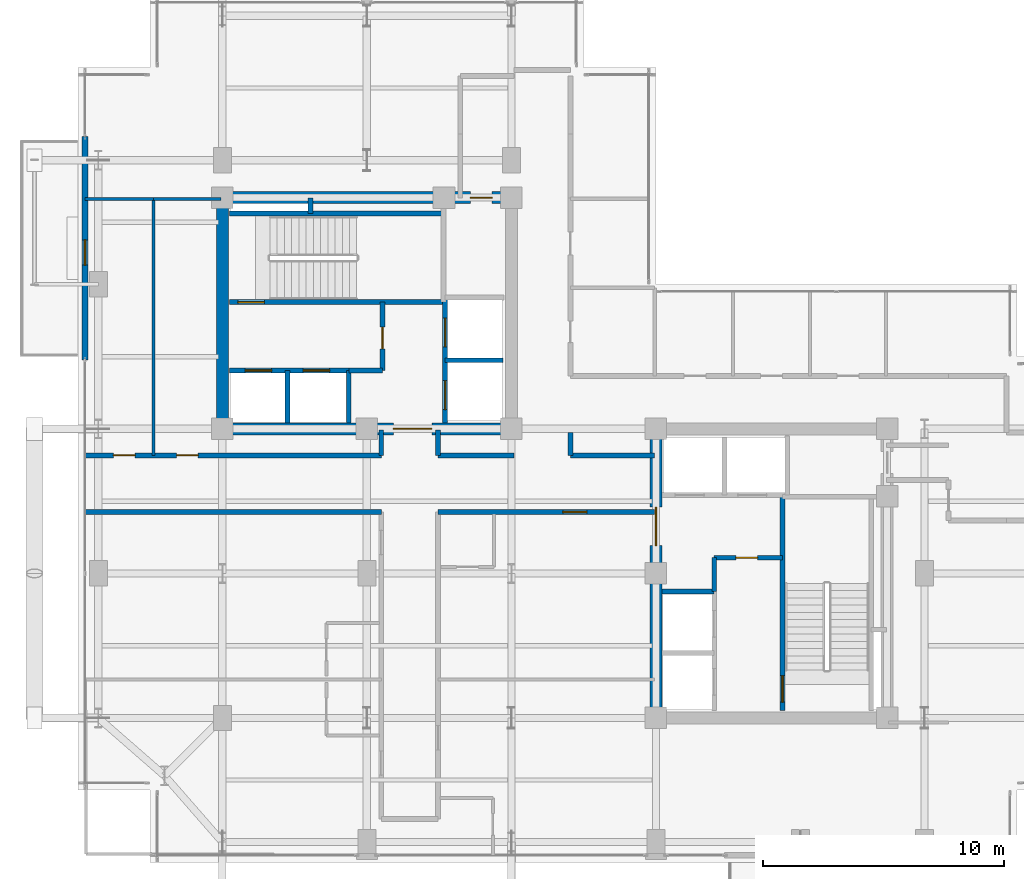
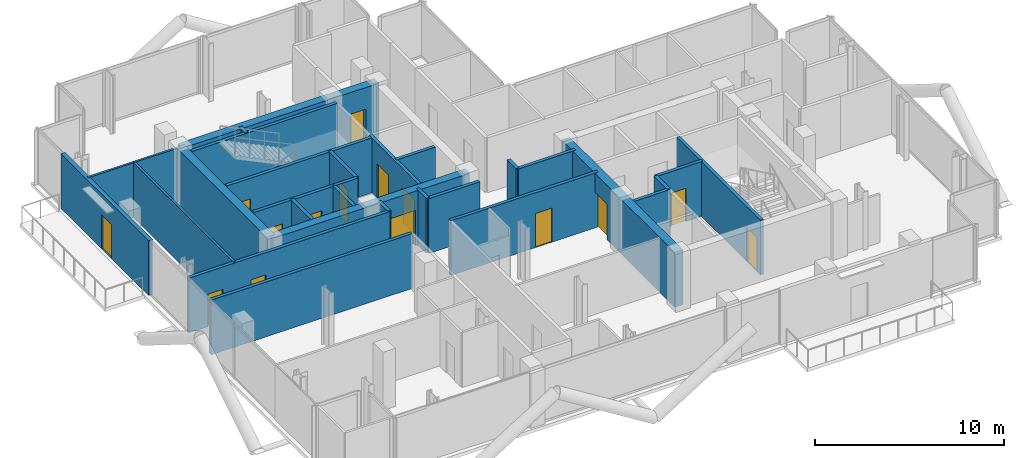
# One storey, part 20 of 25: 30 walls, 15 doors, 15 openings.
"""IFC4 building model written with IfcOpenShell, lengths in metres."""

from ifc_helpers import new_model, si_unit, direction, frame, frame_2d, origin, place, context, subcontext, project, spatial, rectangle, extrude, material, layer, layer_set, type_object, element, fill, save


model = new_model("IFC4")

# Units and contexts
model_context = context("Model", 3, precision=1e-05, world=origin(), true_north=direction((0.0, 1.0)))
body_context = subcontext(model_context, "Body", "Model", "MODEL_VIEW")
ifc_project = project(units=[si_unit("LENGTHUNIT", "METRE"), si_unit("AREAUNIT", "SQUARE_METRE"), si_unit("VOLUMEUNIT", "CUBIC_METRE"), si_unit("PLANEANGLEUNIT", "RADIAN"), si_unit("MASSUNIT", "GRAM", prefix="KILO"), si_unit("THERMODYNAMICTEMPERATUREUNIT", "KELVIN"), si_unit("POWERUNIT", "WATT")], contexts=[model_context])

# Site, building, storey
site_placement = place(None, origin())
site = spatial("IfcSite", under=ifc_project, at=site_placement, CompositionType="ELEMENT")
building_placement = place(site_placement, origin())
building = spatial("IfcBuilding", under=site, at=building_placement, Name="Svarakhadi Broadcast Tower", CompositionType="ELEMENT")
storey_placement = place(building_placement, frame((0.0, 0.0, 212.39990234375)))
storey = spatial("IfcBuildingStorey", under=building, at=storey_placement, Name="L52", CompositionType="ELEMENT", Elevation=212.39990234375)

# Wall
ifc_material_1 = material(Name="Double-Stud Acoustic Studio Partition STC-62", Category="gypsum")
ifc_layer_1 = layer(ifc_material_1, 0.199951171875)
ifc_layer_set_1 = layer_set([ifc_layer_1], Name="Double-Stud Acoustic Studio Partition STC-62")
wall_type_1 = type_object("IfcWallType", Name="Wall_Acoust_200", PredefinedType="PARTITIONING", material=ifc_layer_set_1)
wall_1_placement = place(storey_placement, frame((12.60009765625, 14.550048828125, 0.0), z_axis=(0.0, 0.0, 1.0), x_axis=(-1.0, 0.0, 0.0)))
element("IfcWall", 1, at=wall_1_placement, inside=storey, type_object=wall_type_1, Name="L52 Upper Tower Concourse Wall", PredefinedType="PARTITIONING", context=body_context, shape_type="SweptSolid", body=[
    extrude(rectangle(XDim=12.300048828125, YDim=0.199951171875, at=frame_2d((6.14990234375, 0.0))), origin(), (0.0, 0.0, 1.0), 3.5400390625),
])

# Wall, openings, doors
wall_2_placement = place(storey_placement, frame((0.300048828125, 16.89990234375, 0.0), z_axis=(0.0, 0.0, 1.0), x_axis=(1.0, 0.0, 0.0)))
wall_2 = element("IfcWall", 2, at=wall_2_placement, inside=storey, type_object=wall_type_1, Name="L52 Upper Tower Concourse Wall", PredefinedType="PARTITIONING", context=body_context, shape_type="SweptSolid", body=[
    extrude(rectangle(XDim=12.300048828125, YDim=0.199951171875, at=frame_2d((6.14990234375, 0.0))), origin(), (0.0, 0.0, 1.0), 3.5400390625),
])
opening_1_placement = place(wall_2_placement, frame((1.179931640625, 0.0, 0.0)))
opening_1 = element("IfcOpeningElement", 3, at=opening_1_placement, cuts=wall_2, Name="Opening D-15", PredefinedType="OPENING", context=body_context, shape_type="SweptSolid", body=[
    extrude(rectangle(XDim=0.89990234375, YDim=2.10009765625, at=frame_2d((0.449951171875, 1.050048828125))), frame((0.0, 0.10986328125, 0.0), z_axis=(0.0, -1.0, 0.0), x_axis=(1.0, 0.0, 0.0)), (0.0, 0.0, 1.0), 0.219970703125),
])
opening_2_placement = place(wall_2_placement, frame((3.800048828125, 0.0, 0.0)))
opening_2 = element("IfcOpeningElement", 4, at=opening_2_placement, cuts=wall_2, Name="Opening D-14", PredefinedType="OPENING", context=body_context, shape_type="SweptSolid", body=[
    extrude(rectangle(XDim=0.89990234375, YDim=2.10009765625, at=frame_2d((0.449951171875, 1.050048828125))), frame((0.0, 0.10986328125, 0.0), z_axis=(0.0, -1.0, 0.0), x_axis=(1.0, 0.0, 0.0)), (0.0, 0.0, 1.0), 0.219970703125),
])
ifc_material_2 = material(Name="Solid-Core Teak Veneer Acoustic Timber Leaf", Category="wood")
door_type_1 = type_object("IfcDoorType", Name="Door_Int_D14", OperationType="SINGLE_SWING_LEFT", PredefinedType="DOOR", material=ifc_material_2)
door_1_placement = place(opening_2_placement, origin())
door_1 = element("IfcDoor", 5, at=door_1_placement, inside=storey, type_object=door_type_1, Name="L52 Private Study and Library Office Door", OperationType="SINGLE_SWING_LEFT", OverallHeight=2.10009765625, OverallWidth=0.89990234375, PredefinedType="DOOR", context=body_context, shape_type="SweptSolid", body=[
    extrude(rectangle(XDim=0.89990234375, YDim=2.10009765625, at=frame_2d((0.449951171875, 1.050048828125))), frame((0.0, 0.02490234375, 0.0), z_axis=(0.0, -1.0, 0.0), x_axis=(1.0, 0.0, 0.0)), (0.0, 0.0, 1.0), 0.050048828125),
])
fill(opening_2, door_1)
door_type_2 = type_object("IfcDoorType", Name="Door_Int_D15", OperationType="SINGLE_SWING_RIGHT", PredefinedType="DOOR", material=ifc_material_2)
door_2_placement = place(opening_1_placement, origin())
door_2 = element("IfcDoor", 6, at=door_2_placement, inside=storey, type_object=door_type_2, Name="L52 Arabian Sea Panorama Salon Door", OperationType="SINGLE_SWING_RIGHT", OverallHeight=2.10009765625, OverallWidth=0.89990234375, PredefinedType="DOOR", context=body_context, shape_type="SweptSolid", body=[
    extrude(rectangle(XDim=0.89990234375, YDim=2.10009765625, at=frame_2d((0.449951171875, 1.050048828125))), frame((0.0, 0.02490234375, 0.0), z_axis=(0.0, -1.0, 0.0), x_axis=(1.0, 0.0, 0.0)), (0.0, 0.0, 1.0), 0.050048828125),
])
fill(opening_1, door_2)

# Walls
for number, where, z_axis, x_axis, name in (
    (7, (12.60009765625, 16.89990234375, 0.0), (0.0, 0.0, 1.0), (0.0, 1.0, 0.0), "L52 Upper Tower Concourse Wall"),
    (8, (14.949951171875, 17.949951171875, 0.0), (0.0, 0.0, 1.0), (0.0, -1.0, 0.0), "L52 Upper Tower Concourse Wall"),
):
    element("IfcWall", number, at=place(storey_placement, frame(where, z_axis=z_axis, x_axis=x_axis)), inside=storey, type_object=wall_type_1, Name=name, PredefinedType="PARTITIONING", context=body_context, shape_type="SweptSolid", body=[
        extrude(rectangle(XDim=1.050048828125, YDim=0.199951171875, at=frame_2d((0.52490234375, 0.0))), origin(), (0.0, 0.0, 1.0), 3.5400390625),
    ])
wall_3_placement = place(storey_placement, frame((14.949951171875, 16.89990234375, 0.0), z_axis=(0.0, 0.0, 1.0), x_axis=(1.0, 0.0, 0.0)))
element("IfcWall", 9, at=wall_3_placement, inside=storey, type_object=wall_type_1, Name="L52 Upper Tower Concourse Wall", PredefinedType="PARTITIONING", context=body_context, shape_type="SweptSolid", body=[
    extrude(rectangle(XDim=3.150146484375, YDim=0.199951171875, at=frame_2d((1.5751953125, 0.0))), origin(), (0.0, 0.0, 1.0), 3.5400390625),
])
wall_4_placement = place(storey_placement, frame((20.449951171875, 17.85009765625, 0.0), z_axis=(0.0, 0.0, 1.0), x_axis=(0.0, -1.0, 0.0)))
element("IfcWall", 10, at=wall_4_placement, inside=storey, type_object=wall_type_1, Name="L52 Upper Tower Concourse Wall", PredefinedType="PARTITIONING", context=body_context, shape_type="SweptSolid", body=[
    extrude(rectangle(XDim=0.9501953125, YDim=0.199951171875, at=frame_2d((0.47509765625, 0.0))), origin(), (0.0, 0.0, 1.0), 3.5400390625),
])
wall_5_placement = place(storey_placement, frame((20.449951171875, 16.89990234375, 0.0), z_axis=(0.0, 0.0, 1.0), x_axis=(1.0, 0.0, 0.0)))
element("IfcWall", 11, at=wall_5_placement, inside=storey, type_object=wall_type_1, Name="L52 Upper Tower Concourse Wall", PredefinedType="PARTITIONING", context=body_context, shape_type="SweptSolid", body=[
    extrude(rectangle(XDim=3.5, YDim=0.199951171875, at=frame_2d((1.75, 0.0))), origin(), (0.0, 0.0, 1.0), 3.5400390625),
])

# Wall, opening, door
wall_6_placement = place(storey_placement, frame((23.949951171875, 14.550048828125, 0.0), z_axis=(0.0, 0.0, 1.0), x_axis=(-1.0, 0.0, 0.0)))
wall_6 = element("IfcWall", 12, at=wall_6_placement, inside=storey, type_object=wall_type_1, Name="L52 Upper Tower Concourse Wall", PredefinedType="PARTITIONING", context=body_context, shape_type="SweptSolid", body=[
    extrude(rectangle(XDim=9.0, YDim=0.199951171875, at=frame_2d((4.5, 0.0))), origin(), (0.0, 0.0, 1.0), 3.5400390625),
])
opening_3_placement = place(wall_6_placement, frame((2.81494140625, 0.0, 0.0)))
opening_3 = element("IfcOpeningElement", 13, at=opening_3_placement, cuts=wall_6, Name="Opening D-08", PredefinedType="OPENING", context=body_context, shape_type="SweptSolid", body=[
    extrude(rectangle(XDim=1.0, YDim=2.199951171875, at=frame_2d((0.5, 1.10009765625))), frame((0.0, 0.10986328125, 0.0), z_axis=(0.0, -1.0, 0.0), x_axis=(1.0, 0.0, 0.0)), (0.0, 0.0, 1.0), 0.219970703125),
])
door_type_3 = type_object("IfcDoorType", Name="Door_Suite_D08", OperationType="SINGLE_SWING_LEFT", PredefinedType="DOOR", material=ifc_material_2)
door_3_placement = place(opening_3_placement, origin())
door_3 = element("IfcDoor", 14, at=door_3_placement, inside=storey, type_object=door_type_3, Name="L52 Deluxe Harbour Guest Room Entrance Door", OperationType="SINGLE_SWING_LEFT", OverallHeight=2.199951171875, OverallWidth=1.0, PredefinedType="DOOR", context=body_context, shape_type="SweptSolid", body=[
    extrude(rectangle(XDim=1.0, YDim=2.199951171875, at=frame_2d((0.5, 1.10009765625))), frame((0.0, 0.02490234375, 0.0), z_axis=(0.0, -1.0, 0.0), x_axis=(1.0, 0.0, 0.0)), (0.0, 0.0, 1.0), 0.050048828125),
])
fill(opening_3, door_3)

ifc_material_3 = material(Name="Concrete C40/50 (IS 456 M50)", Category="concrete")
ifc_layer_2 = layer(ifc_material_3, 0.239990234375)
ifc_layer_set_2 = layer_set([ifc_layer_2], Name="Concrete C40/50 (IS 456 M50)")
wall_type_2 = type_object("IfcWallType", Name="Wall_Ext_240", PredefinedType="SOLIDWALL", material=ifc_layer_set_2)
wall_7_placement = place(storey_placement, frame((0.300048828125, 20.85498046875, 0.0), z_axis=(0.0, 0.0, 1.0), x_axis=(0.0, 1.0, 0.0)))
wall_7 = element("IfcWall", 15, at=wall_7_placement, inside=storey, type_object=wall_type_2, Name="L52 West Tree Balcony Spandrel Wall", PredefinedType="SOLIDWALL", context=body_context, shape_type="SweptSolid", body=[
    extrude(rectangle(XDim=9.2900390625, YDim=0.239990234375, at=frame_2d((4.64501953125, 0.0))), origin(), (0.0, 0.0, 1.0), 3.5400390625),
])
opening_4_placement = place(wall_7_placement, frame((3.945068359375, 0.0, 0.0)))
opening_4 = element("IfcOpeningElement", 16, at=opening_4_placement, cuts=wall_7, Name="Opening ED-05", PredefinedType="OPENING", context=body_context, shape_type="SweptSolid", body=[
    extrude(rectangle(XDim=1.050048828125, YDim=2.199951171875, at=frame_2d((0.52490234375, 1.10009765625))), frame((0.0, 0.1298828125, 0.0), z_axis=(0.0, -1.0, 0.0), x_axis=(1.0, 0.0, 0.0)), (0.0, 0.0, 1.0), 0.260009765625),
])
ifc_material_4 = material(Name="Anodised Bronze Aluminium AA 6063-T6", Category="aluminium")
door_type_4 = type_object("IfcDoorType", Name="Door_Ext_ED05", OperationType="SINGLE_SWING_LEFT", PredefinedType="DOOR", material=ifc_material_4)
door_4_placement = place(opening_4_placement, origin())
door_4 = element("IfcDoor", 17, at=door_4_placement, inside=storey, type_object=door_type_4, Name="L52 West Tree Balcony Door", OperationType="SINGLE_SWING_LEFT", OverallHeight=2.199951171875, OverallWidth=1.050048828125, PredefinedType="DOOR", context=body_context, shape_type="SweptSolid", body=[
    extrude(rectangle(XDim=1.050048828125, YDim=2.199951171875, at=frame_2d((0.52490234375, 1.10009765625))), frame((0.0, 0.02490234375, 0.0), z_axis=(0.0, -1.0, 0.0), x_axis=(1.0, 0.0, 0.0)), (0.0, 0.0, 1.0), 0.050048828125),
])
fill(opening_4, door_4)

# Walls
ifc_layer_3 = layer(ifc_material_3, 0.199951171875)
ifc_layer_set_3 = layer_set([ifc_layer_3], Name="Concrete C40/50 (IS 456 M50)")
wall_type_3 = type_object("IfcWallType", Name="Wall_Fire_200", PredefinedType="SOLIDWALL", material=ifc_layer_set_3)
wall_8_placement = place(storey_placement, frame((9.659912109375, 26.93994140625, 0.0), z_axis=(0.0, 0.0, 1.0), x_axis=(0.0, 1.0, 0.0)))
element("IfcWall", 18, at=wall_8_placement, inside=storey, type_object=wall_type_3, Name="L52 Wet Riser Shaft East Wall", PredefinedType="SOLIDWALL", context=body_context, shape_type="SweptSolid", body=[
    extrude(rectangle(XDim=0.64013671875, YDim=0.199951171875, at=frame_2d((0.320068359375, 0.0))), origin(), (0.0, 0.0, 1.0), 3.5400390625),
])
ifc_material_5 = material(Name="Fire-Rated Moisture-Resistant Gypsum Board Partition", Category="gypsum")
ifc_layer_4 = layer(ifc_material_5, 0.125)
ifc_layer_set_4 = layer_set([ifc_layer_4], Name="Fire-Rated Moisture-Resistant Gypsum Board Partition")
wall_type_4 = type_object("IfcWallType", Name="Wall_Part_125", PredefinedType="PARTITIONING", material=ifc_layer_set_4)
wall_9_placement = place(storey_placement, frame((0.300048828125, 27.550048828125, 0.0), z_axis=(0.0, 0.0, 1.0), x_axis=(1.0, 0.0, 0.0)))
element("IfcWall", 19, at=wall_9_placement, inside=storey, type_object=wall_type_4, Name="L52 Arabian Sea Panorama Salon Wall", PredefinedType="PARTITIONING", context=body_context, shape_type="SweptSolid", body=[
    extrude(rectangle(XDim=2.849853515625, YDim=0.125, at=frame_2d((1.4248046875, 0.0))), origin(), (0.0, 0.0, 1.0), 3.5400390625),
])
wall_10_placement = place(storey_placement, frame((3.14990234375, 16.89990234375, 0.0), z_axis=(0.0, 0.0, 1.0), x_axis=(0.0, 1.0, 0.0)))
element("IfcWall", 20, at=wall_10_placement, inside=storey, type_object=wall_type_4, Name="L52 Arabian Sea Panorama Salon Wall", PredefinedType="PARTITIONING", context=body_context, shape_type="SweptSolid", body=[
    extrude(rectangle(XDim=10.650146484375, YDim=0.125, at=frame_2d((5.3251953125, 0.0))), origin(), (0.0, 0.0, 1.0), 3.5400390625),
])
wall_11_placement = place(storey_placement, frame((3.14990234375, 27.550048828125, 0.0), z_axis=(0.0, 0.0, 1.0), x_axis=(1.0, 0.0, 0.0)))
element("IfcWall", 21, at=wall_11_placement, inside=storey, type_object=wall_type_4, Name="L52 Private Study and Library Office Wall", PredefinedType="PARTITIONING", context=body_context, shape_type="SweptSolid", body=[
    extrude(rectangle(XDim=2.800048828125, YDim=0.125, at=frame_2d((1.39990234375, 0.0))), origin(), (0.0, 0.0, 1.0), 3.5400390625),
])

# Wall, opening, door
ifc_material_6 = material(Name="Concrete C50/60 (IS 456 M60)", Category="concrete")
ifc_layer_5 = layer(ifc_material_6, 0.199951171875)
ifc_layer_set_5 = layer_set([ifc_layer_5], Name="Concrete C50/60 (IS 456 M60)")
wall_type_5 = type_object("IfcWallType", Name="Wall_Shear_200", PredefinedType="SHEAR", material=ifc_layer_set_5)
wall_12_placement = place(storey_placement, frame((6.300048828125, 23.260009765625, 0.0), z_axis=(0.0, 0.0, 1.0), x_axis=(1.0, 0.0, 0.0)))
wall_12 = element("IfcWall", 22, at=wall_12_placement, inside=storey, type_object=wall_type_5, Name="L52 Stair ST-01 South RC Shaft Wall", PredefinedType="SHEAR", context=body_context, shape_type="SweptSolid", body=[
    extrude(rectangle(XDim=8.8798828125, YDim=0.199951171875, at=frame_2d((4.43994140625, 0.0))), origin(), (0.0, 0.0, 1.0), 3.5400390625),
])
opening_5_placement = place(wall_12_placement, frame((0.35009765625, 0.0, 0.0)))
opening_5 = element("IfcOpeningElement", 23, at=opening_5_placement, cuts=wall_12, Name="Opening D-01", PredefinedType="OPENING", context=body_context, shape_type="SweptSolid", body=[
    extrude(rectangle(XDim=1.10009765625, YDim=2.199951171875, at=frame_2d((0.550048828125, 1.10009765625))), frame((0.0, 0.10986328125, 0.0), z_axis=(0.0, -1.0, 0.0), x_axis=(1.0, 0.0, 0.0)), (0.0, 0.0, 1.0), 0.219970703125),
])
ifc_material_7 = material(Name="Galvanised Powder-Coated Fire-Rated Steel Leaf", Category="steel")
door_type_5 = type_object("IfcDoorType", Name="Door_Stair_D01", OperationType="SINGLE_SWING_LEFT", PredefinedType="DOOR", material=ifc_material_7)
door_5_placement = place(opening_5_placement, origin())
door_5 = element("IfcDoor", 24, at=door_5_placement, inside=storey, type_object=door_type_5, Name="L52 Protected Exit Stair ST-01 Fire Door", OperationType="SINGLE_SWING_LEFT", OverallHeight=2.199951171875, OverallWidth=1.10009765625, PredefinedType="DOOR", context=body_context, shape_type="SweptSolid", body=[
    extrude(rectangle(XDim=1.10009765625, YDim=2.199951171875, at=frame_2d((0.550048828125, 1.10009765625))), frame((0.0, 0.02490234375, 0.0), z_axis=(0.0, -1.0, 0.0), x_axis=(1.0, 0.0, 0.0)), (0.0, 0.0, 1.0), 0.050048828125),
])
fill(opening_5, door_5)

# Wall
wall_13_placement = place(storey_placement, frame((6.300048828125, 26.93994140625, 0.0), z_axis=(0.0, 0.0, 1.0), x_axis=(1.0, 0.0, 0.0)))
element("IfcWall", 25, at=wall_13_placement, inside=storey, type_object=wall_type_5, Name="L52 Stair ST-01 North RC Shaft Wall", PredefinedType="SHEAR", context=body_context, shape_type="SweptSolid", body=[
    extrude(rectangle(XDim=8.8798828125, YDim=0.199951171875, at=frame_2d((4.43994140625, 0.0))), origin(), (0.0, 0.0, 1.0), 3.5400390625),
])

# Wall, opening, door
wall_14_placement = place(storey_placement, frame((29.260009765625, 6.300048828125, 0.0), z_axis=(0.0, 0.0, 1.0), x_axis=(0.0, 1.0, 0.0)))
wall_14 = element("IfcWall", 26, at=wall_14_placement, inside=storey, type_object=wall_type_5, Name="L52 Stair ST-02 West RC Shaft Wall", PredefinedType="SHEAR", context=body_context, shape_type="SweptSolid", body=[
    extrude(rectangle(XDim=8.8798828125, YDim=0.199951171875, at=frame_2d((4.43994140625, 0.0))), origin(), (0.0, 0.0, 1.0), 3.5400390625),
])
opening_6_placement = place(wall_14_placement, frame((0.35009765625, 0.0, 0.0)))
opening_6 = element("IfcOpeningElement", 27, at=opening_6_placement, cuts=wall_14, Name="Opening D-02", PredefinedType="OPENING", context=body_context, shape_type="SweptSolid", body=[
    extrude(rectangle(XDim=1.10009765625, YDim=2.199951171875, at=frame_2d((0.550048828125, 1.10009765625))), frame((0.0, 0.10986328125, 0.0), z_axis=(0.0, -1.0, 0.0), x_axis=(1.0, 0.0, 0.0)), (0.0, 0.0, 1.0), 0.219970703125),
])
door_type_6 = type_object("IfcDoorType", Name="Door_Stair_D02", OperationType="SINGLE_SWING_RIGHT", PredefinedType="DOOR", material=ifc_material_7)
door_6_placement = place(opening_6_placement, origin())
door_6 = element("IfcDoor", 28, at=door_6_placement, inside=storey, type_object=door_type_6, Name="L52 Protected Exit Stair ST-02 Fire Door", OperationType="SINGLE_SWING_RIGHT", OverallHeight=2.199951171875, OverallWidth=1.10009765625, PredefinedType="DOOR", context=body_context, shape_type="SweptSolid", body=[
    extrude(rectangle(XDim=1.10009765625, YDim=2.199951171875, at=frame_2d((0.550048828125, 1.10009765625))), frame((0.0, 0.02490234375, 0.0), z_axis=(0.0, -1.0, 0.0), x_axis=(1.0, 0.0, 0.0)), (0.0, 0.0, 1.0), 0.050048828125),
])
fill(opening_6, door_6)

# Wall, openings, doors
wall_15_placement = place(storey_placement, frame((6.300048828125, 20.419921875, 0.0), z_axis=(0.0, 0.0, 1.0), x_axis=(1.0, 0.0, 0.0)))
wall_15 = element("IfcWall", 29, at=wall_15_placement, inside=storey, type_object=wall_type_5, Name="L52 Firefighting Lift LF-01/02 Shaft Wall", PredefinedType="SHEAR", context=body_context, shape_type="SweptSolid", body=[
    extrude(rectangle(XDim=4.949951171875, YDim=0.199951171875, at=frame_2d((2.47509765625, 0.0))), origin(), (0.0, 0.0, 1.0), 3.5400390625),
])
opening_7_placement = place(wall_15_placement, frame((0.64990234375, 0.0, 0.0)))
opening_7 = element("IfcOpeningElement", 30, at=opening_7_placement, cuts=wall_15, Name="Opening LD-01", PredefinedType="OPENING", context=body_context, shape_type="SweptSolid", body=[
    extrude(rectangle(XDim=1.10009765625, YDim=2.199951171875, at=frame_2d((0.550048828125, 1.10009765625))), frame((0.0, 0.10986328125, 0.0), z_axis=(0.0, -1.0, 0.0), x_axis=(1.0, 0.0, 0.0)), (0.0, 0.0, 1.0), 0.219970703125),
])
opening_8_placement = place(wall_15_placement, frame((3.050048828125, 0.0, 0.0)))
opening_8 = element("IfcOpeningElement", 31, at=opening_8_placement, cuts=wall_15, Name="Opening LD-01", PredefinedType="OPENING", context=body_context, shape_type="SweptSolid", body=[
    extrude(rectangle(XDim=1.10009765625, YDim=2.199951171875, at=frame_2d((0.550048828125, 1.10009765625))), frame((0.0, 0.10986328125, 0.0), z_axis=(0.0, -1.0, 0.0), x_axis=(1.0, 0.0, 0.0)), (0.0, 0.0, 1.0), 0.219970703125),
])
door_type_7 = type_object("IfcDoorType", Name="Door_Lift_LD01", OperationType="SLIDING_TO_LEFT", PredefinedType="DOOR", material=ifc_material_7)
door_7_placement = place(opening_7_placement, origin())
door_7 = element("IfcDoor", 32, at=door_7_placement, inside=storey, type_object=door_type_7, Name="L52 Firefighting Lift LF-01 Landing Door", OperationType="SLIDING_TO_LEFT", OverallHeight=2.199951171875, OverallWidth=1.10009765625, PredefinedType="DOOR", context=body_context, shape_type="SweptSolid", body=[
    extrude(rectangle(XDim=1.10009765625, YDim=2.199951171875, at=frame_2d((0.550048828125, 1.10009765625))), frame((0.0, 0.02490234375, 0.0), z_axis=(0.0, -1.0, 0.0), x_axis=(1.0, 0.0, 0.0)), (0.0, 0.0, 1.0), 0.050048828125),
])
fill(opening_7, door_7)
door_8_placement = place(opening_8_placement, origin())
door_8 = element("IfcDoor", 33, at=door_8_placement, inside=storey, type_object=door_type_7, Name="L52 Firefighting Lift LF-02 Landing Door", OperationType="SLIDING_TO_LEFT", OverallHeight=2.199951171875, OverallWidth=1.10009765625, PredefinedType="DOOR", context=body_context, shape_type="SweptSolid", body=[
    extrude(rectangle(XDim=1.10009765625, YDim=2.199951171875, at=frame_2d((0.550048828125, 1.10009765625))), frame((0.0, 0.02490234375, 0.0), z_axis=(0.0, -1.0, 0.0), x_axis=(1.0, 0.0, 0.0)), (0.0, 0.0, 1.0), 0.050048828125),
])
fill(opening_8, door_8)

# Walls
for number, where, z_axis, x_axis, name in (
    (34, (8.699951171875, 18.25, 0.0), (0.0, 0.0, 1.0), (0.0, 1.0, 0.0), "L52 Firefighting Lift LF-01/02 Divider Wall"),
    (35, (11.25, 18.25, 0.0), (0.0, 0.0, 1.0), (0.0, 1.0, 0.0), "L52 Firefighting Lift LF-02 East Wall"),
):
    element("IfcWall", number, at=place(storey_placement, frame(where, z_axis=z_axis, x_axis=x_axis)), inside=storey, type_object=wall_type_5, Name=name, PredefinedType="SHEAR", context=body_context, shape_type="SweptSolid", body=[
        extrude(rectangle(XDim=2.169921875, YDim=0.199951171875, at=frame_2d((1.0849609375, 0.0))), origin(), (0.0, 0.0, 1.0), 3.5400390625),
    ])
wall_16_placement = place(storey_placement, frame((11.25, 20.419921875, 0.0), z_axis=(0.0, 0.0, 1.0), x_axis=(1.0, 0.0, 0.0)))
element("IfcWall", 36, at=wall_16_placement, inside=storey, type_object=wall_type_5, Name="L52 West Firefighting Lobby South Wall", PredefinedType="SHEAR", context=body_context, shape_type="SweptSolid", body=[
    extrude(rectangle(XDim=1.39990234375, YDim=0.199951171875, at=frame_2d((0.699951171875, 0.0))), origin(), (0.0, 0.0, 1.0), 3.5400390625),
])

# Wall, opening, door
wall_17_placement = place(storey_placement, frame((12.64990234375, 20.419921875, 0.0), z_axis=(0.0, 0.0, 1.0), x_axis=(0.0, 1.0, 0.0)))
wall_17 = element("IfcWall", 37, at=wall_17_placement, inside=storey, type_object=wall_type_5, Name="L52 West Firefighting Lobby East Wall", PredefinedType="SHEAR", context=body_context, shape_type="SweptSolid", body=[
    extrude(rectangle(XDim=2.840087890625, YDim=0.199951171875, at=frame_2d((1.419921875, 0.0))), origin(), (0.0, 0.0, 1.0), 3.5400390625),
])
opening_9_placement = place(wall_17_placement, frame((0.89990234375, 0.0, 0.0)))
opening_9 = element("IfcOpeningElement", 38, at=opening_9_placement, cuts=wall_17, Name="Opening D-03", PredefinedType="OPENING", context=body_context, shape_type="SweptSolid", body=[
    extrude(rectangle(XDim=0.89990234375, YDim=2.14990234375, at=frame_2d((0.449951171875, 1.074951171875))), frame((0.0, 0.10986328125, 0.0), z_axis=(0.0, -1.0, 0.0), x_axis=(1.0, 0.0, 0.0)), (0.0, 0.0, 1.0), 0.219970703125),
])
door_type_8 = type_object("IfcDoorType", Name="Door_Fire_D03", OperationType="SINGLE_SWING_LEFT", PredefinedType="DOOR", material=ifc_material_7)
door_9_placement = place(opening_9_placement, origin())
door_9 = element("IfcDoor", 39, at=door_9_placement, inside=storey, type_object=door_type_8, Name="L52 West Firefighting Lobby Fire Door", OperationType="SINGLE_SWING_LEFT", OverallHeight=2.14990234375, OverallWidth=0.89990234375, PredefinedType="DOOR", context=body_context, shape_type="SweptSolid", body=[
    extrude(rectangle(XDim=0.89990234375, YDim=2.14990234375, at=frame_2d((0.449951171875, 1.074951171875))), frame((0.0, 0.02490234375, 0.0), z_axis=(0.0, -1.0, 0.0), x_axis=(1.0, 0.0, 0.0)), (0.0, 0.0, 1.0), 0.050048828125),
])
fill(opening_9, door_9)

# Walls
wall_18_placement = place(storey_placement, frame((24.25, 11.25, 0.0), z_axis=(0.0, 0.0, 1.0), x_axis=(1.0, 0.0, 0.0)))
element("IfcWall", 40, at=wall_18_placement, inside=storey, type_object=wall_type_5, Name="L52 Firefighting Lift LF-04 North Wall", PredefinedType="SHEAR", context=body_context, shape_type="SweptSolid", body=[
    extrude(rectangle(XDim=2.169921875, YDim=0.199951171875, at=frame_2d((1.0849609375, 0.0))), origin(), (0.0, 0.0, 1.0), 3.5400390625),
])
wall_19_placement = place(storey_placement, frame((26.419921875, 11.25, 0.0), z_axis=(0.0, 0.0, 1.0), x_axis=(0.0, 1.0, 0.0)))
element("IfcWall", 41, at=wall_19_placement, inside=storey, type_object=wall_type_5, Name="L52 East Firefighting Lobby West Wall", PredefinedType="SHEAR", context=body_context, shape_type="SweptSolid", body=[
    extrude(rectangle(XDim=1.39990234375, YDim=0.199951171875, at=frame_2d((0.699951171875, 0.0))), origin(), (0.0, 0.0, 1.0), 3.5400390625),
])

# Wall, opening, door
wall_20_placement = place(storey_placement, frame((26.419921875, 12.64990234375, 0.0), z_axis=(0.0, 0.0, 1.0), x_axis=(1.0, 0.0, 0.0)))
wall_20 = element("IfcWall", 42, at=wall_20_placement, inside=storey, type_object=wall_type_5, Name="L52 East Firefighting Lobby North Wall", PredefinedType="SHEAR", context=body_context, shape_type="SweptSolid", body=[
    extrude(rectangle(XDim=2.840087890625, YDim=0.199951171875, at=frame_2d((1.419921875, 0.0))), origin(), (0.0, 0.0, 1.0), 3.5400390625),
])
opening_10_placement = place(wall_20_placement, frame((0.89990234375, 0.0, 0.0)))
opening_10 = element("IfcOpeningElement", 43, at=opening_10_placement, cuts=wall_20, Name="Opening D-04", PredefinedType="OPENING", context=body_context, shape_type="SweptSolid", body=[
    extrude(rectangle(XDim=0.89990234375, YDim=2.14990234375, at=frame_2d((0.449951171875, 1.074951171875))), frame((0.0, 0.10986328125, 0.0), z_axis=(0.0, -1.0, 0.0), x_axis=(1.0, 0.0, 0.0)), (0.0, 0.0, 1.0), 0.219970703125),
])
door_type_9 = type_object("IfcDoorType", Name="Door_Fire_D04", OperationType="SINGLE_SWING_RIGHT", PredefinedType="DOOR", material=ifc_material_7)
door_10_placement = place(opening_10_placement, origin())
door_10 = element("IfcDoor", 44, at=door_10_placement, inside=storey, type_object=door_type_9, Name="L52 East Firefighting Lobby Fire Door", OperationType="SINGLE_SWING_RIGHT", OverallHeight=2.14990234375, OverallWidth=0.89990234375, PredefinedType="DOOR", context=body_context, shape_type="SweptSolid", body=[
    extrude(rectangle(XDim=0.89990234375, YDim=2.14990234375, at=frame_2d((0.449951171875, 1.074951171875))), frame((0.0, 0.02490234375, 0.0), z_axis=(0.0, -1.0, 0.0), x_axis=(1.0, 0.0, 0.0)), (0.0, 0.0, 1.0), 0.050048828125),
])
fill(opening_10, door_10)

# Wall, openings, doors
wall_21_placement = place(storey_placement, frame((15.25, 18.25, 0.0), z_axis=(0.0, 0.0, 1.0), x_axis=(0.0, 1.0, 0.0)))
wall_21 = element("IfcWall", 45, at=wall_21_placement, inside=storey, type_object=wall_type_5, Name="L52 High-Rise Lift LF-13/14 West Shaft Wall", PredefinedType="SHEAR", context=body_context, shape_type="SweptSolid", body=[
    extrude(rectangle(XDim=5.199951171875, YDim=0.199951171875, at=frame_2d((2.60009765625, 0.0))), origin(), (0.0, 0.0, 1.0), 3.5400390625),
])
opening_11_placement = place(wall_21_placement, frame((0.550048828125, 0.0, 0.0)))
opening_11 = element("IfcOpeningElement", 46, at=opening_11_placement, cuts=wall_21, Name="Opening LD-02", PredefinedType="OPENING", context=body_context, shape_type="SweptSolid", body=[
    extrude(rectangle(XDim=1.199951171875, YDim=2.199951171875, at=frame_2d((0.60009765625, 1.10009765625))), frame((0.0, 0.10986328125, 0.0), z_axis=(0.0, -1.0, 0.0), x_axis=(1.0, 0.0, 0.0)), (0.0, 0.0, 1.0), 0.219970703125),
])
opening_12_placement = place(wall_21_placement, frame((3.14990234375, 0.0, 0.0)))
opening_12 = element("IfcOpeningElement", 47, at=opening_12_placement, cuts=wall_21, Name="Opening LD-02", PredefinedType="OPENING", context=body_context, shape_type="SweptSolid", body=[
    extrude(rectangle(XDim=1.199951171875, YDim=2.199951171875, at=frame_2d((0.60009765625, 1.10009765625))), frame((0.0, 0.10986328125, 0.0), z_axis=(0.0, -1.0, 0.0), x_axis=(1.0, 0.0, 0.0)), (0.0, 0.0, 1.0), 0.219970703125),
])
door_type_10 = type_object("IfcDoorType", Name="Door_Lift_LD02", OperationType="SLIDING_TO_RIGHT", PredefinedType="DOOR", material=ifc_material_7)
door_11_placement = place(opening_11_placement, origin())
door_11 = element("IfcDoor", 48, at=door_11_placement, inside=storey, type_object=door_type_10, Name="L52 High-Rise Lift LF-13 Landing Door", OperationType="SLIDING_TO_RIGHT", OverallHeight=2.199951171875, OverallWidth=1.199951171875, PredefinedType="DOOR", context=body_context, shape_type="SweptSolid", body=[
    extrude(rectangle(XDim=1.199951171875, YDim=2.199951171875, at=frame_2d((0.60009765625, 1.10009765625))), frame((0.0, 0.02490234375, 0.0), z_axis=(0.0, -1.0, 0.0), x_axis=(1.0, 0.0, 0.0)), (0.0, 0.0, 1.0), 0.050048828125),
])
fill(opening_11, door_11)
door_12_placement = place(opening_12_placement, origin())
door_12 = element("IfcDoor", 49, at=door_12_placement, inside=storey, type_object=door_type_10, Name="L52 High-Rise Lift LF-14 Landing Door", OperationType="SLIDING_TO_RIGHT", OverallHeight=2.199951171875, OverallWidth=1.199951171875, PredefinedType="DOOR", context=body_context, shape_type="SweptSolid", body=[
    extrude(rectangle(XDim=1.199951171875, YDim=2.199951171875, at=frame_2d((0.60009765625, 1.10009765625))), frame((0.0, 0.02490234375, 0.0), z_axis=(0.0, -1.0, 0.0), x_axis=(1.0, 0.0, 0.0)), (0.0, 0.0, 1.0), 0.050048828125),
])
fill(opening_12, door_12)

# Wall
wall_22_placement = place(storey_placement, frame((15.25, 20.85009765625, 0.0), z_axis=(0.0, 0.0, 1.0), x_axis=(1.0, 0.0, 0.0)))
element("IfcWall", 50, at=wall_22_placement, inside=storey, type_object=wall_type_5, Name="L52 High-Rise Lift LF-13/14 Divider", PredefinedType="SHEAR", context=body_context, shape_type="SweptSolid", body=[
    extrude(rectangle(XDim=2.39990234375, YDim=0.199951171875, at=frame_2d((1.199951171875, 0.0))), origin(), (0.0, 0.0, 1.0), 3.5400390625),
])

# Wall, opening, door
ifc_layer_6 = layer(ifc_material_6, 0.5)
ifc_layer_set_6 = layer_set([ifc_layer_6], Name="Concrete C50/60 (IS 456 M60)")
wall_type_6 = type_object("IfcWallType", Name="Wall_Shear_500", PredefinedType="SHEAR", material=ifc_layer_set_6)
wall_23_placement = place(storey_placement, frame((6.0, 18.0, 0.0), z_axis=(0.0, 0.0, 1.0), x_axis=(1.0, 0.0, 0.0)))
wall_23 = element("IfcWall", 51, at=wall_23_placement, inside=storey, type_object=wall_type_6, Name="L52 West Core South Shear Wall", PredefinedType="SHEAR", context=body_context, shape_type="SweptSolid", body=[
    extrude(rectangle(XDim=12.0, YDim=0.5, at=frame_2d((6.0, 0.0))), origin(), (0.0, 0.0, 1.0), 3.5400390625),
])
opening_13_placement = place(wall_23_placement, frame((7.10009765625, 0.0, 0.0)))
opening_13 = element("IfcOpeningElement", 52, at=opening_13_placement, cuts=wall_23, Name="Opening D-05", PredefinedType="OPENING", context=body_context, shape_type="SweptSolid", body=[
    extrude(rectangle(XDim=1.60009765625, YDim=2.300048828125, at=frame_2d((0.800048828125, 1.14990234375))), frame((0.0, 0.260009765625, 0.0), z_axis=(0.0, -1.0, 0.0), x_axis=(1.0, 0.0, 0.0)), (0.0, 0.0, 1.0), 0.52001953125),
])
door_type_11 = type_object("IfcDoorType", Name="Door_Lobby_D05", OperationType="DOUBLE_DOOR_SLIDING", PredefinedType="DOOR", material=ifc_material_4)
door_13_placement = place(opening_13_placement, origin())
door_13 = element("IfcDoor", 53, at=door_13_placement, inside=storey, type_object=door_type_11, Name="L52 West Core Passenger Lift Lobby Entrance Door", OperationType="DOUBLE_DOOR_SLIDING", OverallHeight=2.300048828125, OverallWidth=1.60009765625, PredefinedType="DOOR", context=body_context, shape_type="SweptSolid", body=[
    extrude(rectangle(XDim=1.60009765625, YDim=2.300048828125, at=frame_2d((0.800048828125, 1.14990234375))), frame((0.0, 0.02490234375, 0.0), z_axis=(0.0, -1.0, 0.0), x_axis=(1.0, 0.0, 0.0)), (0.0, 0.0, 1.0), 0.050048828125),
])
fill(opening_13, door_13)

wall_24_placement = place(storey_placement, frame((6.0, 27.60009765625, 0.0), z_axis=(0.0, 0.0, 1.0), x_axis=(1.0, 0.0, 0.0)))
wall_24 = element("IfcWall", 54, at=wall_24_placement, inside=storey, type_object=wall_type_6, Name="L52 West Core North Shear Wall", PredefinedType="SHEAR", context=body_context, shape_type="SweptSolid", body=[
    extrude(rectangle(XDim=12.0, YDim=0.5, at=frame_2d((6.0, 0.0))), origin(), (0.0, 0.0, 1.0), 3.5400390625),
])
opening_14_placement = place(wall_24_placement, frame((10.300048828125, 0.0, 0.0)))
opening_14 = element("IfcOpeningElement", 55, at=opening_14_placement, cuts=wall_24, Name="Opening D-03", PredefinedType="OPENING", context=body_context, shape_type="SweptSolid", body=[
    extrude(rectangle(XDim=0.89990234375, YDim=2.14990234375, at=frame_2d((0.449951171875, 1.074951171875))), frame((0.0, 0.260009765625, 0.0), z_axis=(0.0, -1.0, 0.0), x_axis=(1.0, 0.0, 0.0)), (0.0, 0.0, 1.0), 0.52001953125),
])
door_14_placement = place(opening_14_placement, origin())
door_14 = element("IfcDoor", 56, at=door_14_placement, inside=storey, type_object=door_type_8, Name="L52 Core Service Room West Door", OperationType="SINGLE_SWING_LEFT", OverallHeight=2.14990234375, OverallWidth=0.89990234375, PredefinedType="DOOR", context=body_context, shape_type="SweptSolid", body=[
    extrude(rectangle(XDim=0.89990234375, YDim=2.14990234375, at=frame_2d((0.449951171875, 1.074951171875))), frame((0.0, 0.02490234375, 0.0), z_axis=(0.0, -1.0, 0.0), x_axis=(1.0, 0.0, 0.0)), (0.0, 0.0, 1.0), 0.050048828125),
])
fill(opening_14, door_14)

# Wall
wall_25_placement = place(storey_placement, frame((6.0, 18.0, 0.0), z_axis=(0.0, 0.0, 1.0), x_axis=(0.0, 1.0, 0.0)))
element("IfcWall", 57, at=wall_25_placement, inside=storey, type_object=wall_type_6, Name="L52 West Core West Shear Wall", PredefinedType="SHEAR", context=body_context, shape_type="SweptSolid", body=[
    extrude(rectangle(XDim=9.60009765625, YDim=0.5, at=frame_2d((4.800048828125, 0.0))), origin(), (0.0, 0.0, 1.0), 3.5400390625),
])

# Wall, opening, door
wall_26_placement = place(storey_placement, frame((24.0, 6.0, 0.0), z_axis=(0.0, 0.0, 1.0), x_axis=(0.0, 1.0, 0.0)))
wall_26 = element("IfcWall", 58, at=wall_26_placement, inside=storey, type_object=wall_type_6, Name="L52 East Core West Shear Wall", PredefinedType="SHEAR", context=body_context, shape_type="SweptSolid", body=[
    extrude(rectangle(XDim=12.0, YDim=0.5, at=frame_2d((6.0, 0.0))), origin(), (0.0, 0.0, 1.0), 3.5400390625),
])
opening_15_placement = place(wall_26_placement, frame((7.14990234375, 0.0, 0.0)))
opening_15 = element("IfcOpeningElement", 59, at=opening_15_placement, cuts=wall_26, Name="Opening D-05", PredefinedType="OPENING", context=body_context, shape_type="SweptSolid", body=[
    extrude(rectangle(XDim=1.60009765625, YDim=2.300048828125, at=frame_2d((0.800048828125, 1.14990234375))), frame((0.0, 0.260009765625, 0.0), z_axis=(0.0, -1.0, 0.0), x_axis=(1.0, 0.0, 0.0)), (0.0, 0.0, 1.0), 0.52001953125),
])
door_15_placement = place(opening_15_placement, origin())
door_15 = element("IfcDoor", 60, at=door_15_placement, inside=storey, type_object=door_type_11, Name="L52 East Core Passenger Lift Lobby Entrance Door", OperationType="DOUBLE_DOOR_SLIDING", OverallHeight=2.300048828125, OverallWidth=1.60009765625, PredefinedType="DOOR", context=body_context, shape_type="SweptSolid", body=[
    extrude(rectangle(XDim=1.60009765625, YDim=2.300048828125, at=frame_2d((0.800048828125, 1.14990234375))), frame((0.0, 0.02490234375, 0.0), z_axis=(0.0, -1.0, 0.0), x_axis=(1.0, 0.0, 0.0)), (0.0, 0.0, 1.0), 0.050048828125),
])
fill(opening_15, door_15)

save(model, "model.ifc")
